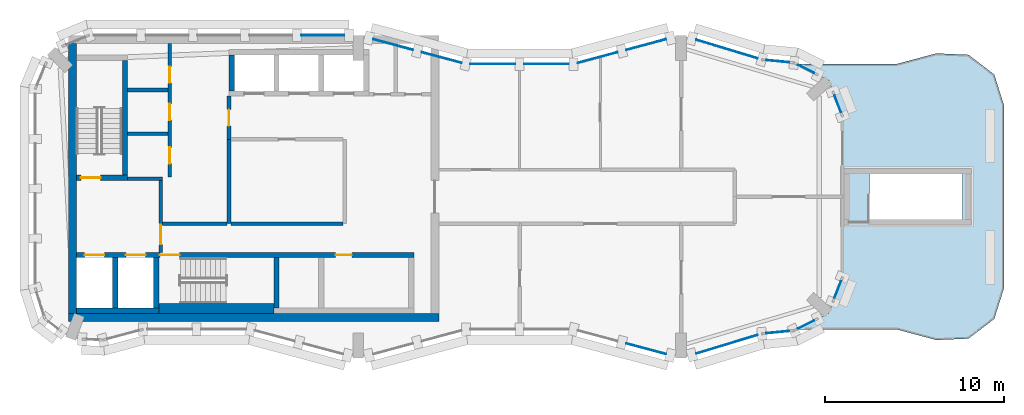
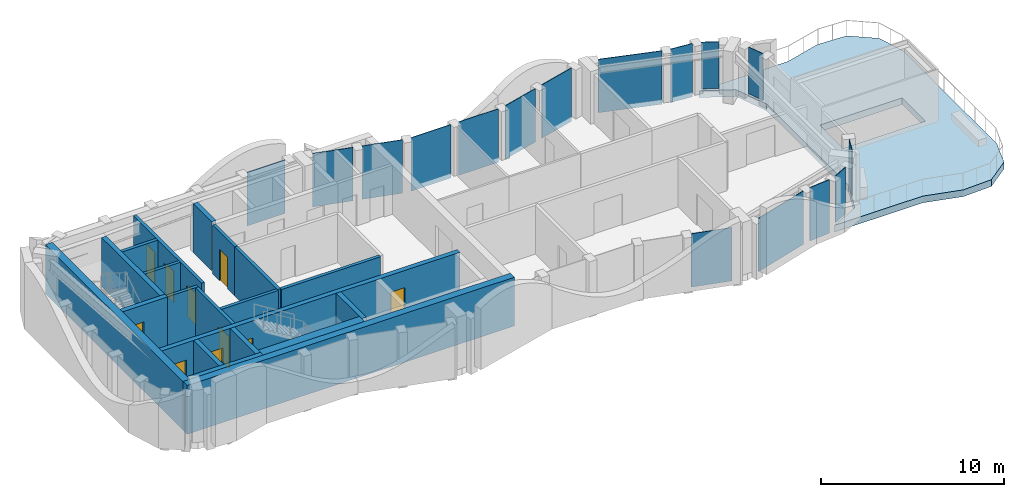
# One storey, part 3 of 9: 20 walls, 16 plates, 10 doors, 1 slab, 10 openings, 13 elements without a shape of their own.
"""IFC4 building model written with IfcOpenShell, lengths in metres."""

from ifc_helpers import new_model, si_unit, direction, frame, frame_2d, origin, origin_2d, place, context, subcontext, project, spatial, polyline, rectangle, outline, extrude, material, layer, layer_set, type_object, element, fill, aggregate, save


model = new_model("IFC4")

# Units and contexts
model_context = context("Model", 3, precision=1e-05, world=origin(), true_north=direction((0.0, 1.0)))
body_context = subcontext(model_context, "Body", "Model", "MODEL_VIEW")
ifc_project = project(units=[si_unit("LENGTHUNIT", "METRE"), si_unit("AREAUNIT", "SQUARE_METRE"), si_unit("VOLUMEUNIT", "CUBIC_METRE"), si_unit("PLANEANGLEUNIT", "RADIAN"), si_unit("MASSUNIT", "GRAM", prefix="KILO")], contexts=[model_context])

# Site, building, storey
site_placement = place(None, origin())
site = spatial("IfcSite", under=ifc_project, at=site_placement, CompositionType="ELEMENT")
building_placement = place(site_placement, origin())
building = spatial("IfcBuilding", under=site, at=building_placement, Name="Plateau Cross Towers", CompositionType="ELEMENT")
storey_placement = place(building_placement, frame((0.0, 0.0, 287.89990234375)))
storey = spatial("IfcBuildingStorey", under=building, at=storey_placement, Name="L76 Crown 1", CompositionType="ELEMENT", Elevation=287.89990234375)

# Curtain wall, plate
ifc_material_1 = material(Name="Dark low-iron glass", Category="glass")
ifc_layer_1 = layer(ifc_material_1, 0.800048828125)
ifc_layer_set_1 = layer_set([ifc_layer_1], Name="Dark low-iron glass")
curtain_wall_type = type_object("IfcCurtainWallType", Name="Curtain wall sky lounge CW-D", PredefinedType="NOTDEFINED", material=ifc_layer_set_1)
curtain_wall_1_placement = place(storey_placement, origin())
curtain_wall_1 = element("IfcCurtainWall", 1, at=curtain_wall_1_placement, inside=storey, type_object=curtain_wall_type, Name="ENV/A/L76 Crown 1/A300_16", PredefinedType="NOTDEFINED")
ifc_layer_2 = layer(ifc_material_1, 0.0400390625)
ifc_layer_set_2 = layer_set([ifc_layer_2], Name="Dark low-iron glass")
plate_type = type_object("IfcPlateType", Name="Glass panel 40 sky lounge", PredefinedType="CURTAIN_PANEL", material=ifc_layer_set_2)
plate_1_placement = place(storey_placement, frame((34.05224609375, 0.521728515625, -0.309814453125), z_axis=(0.0, 0.0, 1.0), x_axis=(0.965957983404, -0.258699003279, 0.0)))
plate_1 = element("IfcPlate", 2, at=plate_1_placement, type_object=plate_type, Name="CW-D panel 2", PredefinedType="CURTAIN_PANEL", context=body_context, shape_type="SweptSolid", body=[
    extrude(rectangle(XDim=2.296875, YDim=0.0400390625, at=origin_2d()), origin(), (0.0, 0.0, 1.0), 3.56005859375),
])
aggregate(curtain_wall_1, [plate_1])

curtain_wall_2_placement = place(storey_placement, origin())
curtain_wall_2 = element("IfcCurtainWall", 3, at=curtain_wall_2_placement, inside=storey, type_object=curtain_wall_type, Name="ENV/A/L76 Crown 1/A366_2", PredefinedType="NOTDEFINED")
plate_2_placement = place(storey_placement, frame((38.552734375, 0.7734375, -0.309814453125), z_axis=(0.0, 0.0, 1.0), x_axis=(0.957048328724, 0.289928433386, 0.0)))
plate_2 = element("IfcPlate", 4, at=plate_2_placement, type_object=plate_type, Name="CW-D panel 1", PredefinedType="CURTAIN_PANEL", context=body_context, shape_type="SweptSolid", body=[
    extrude(rectangle(XDim=3.5693359375, YDim=0.0400390625, at=origin_2d()), origin(), (0.0, 0.0, 1.0), 3.56005859375),
])
aggregate(curtain_wall_2, [plate_2])

curtain_wall_3_placement = place(storey_placement, origin())
curtain_wall_3 = element("IfcCurtainWall", 5, at=curtain_wall_3_placement, inside=storey, type_object=curtain_wall_type, Name="ENV/A/L76 Crown 1/A405_14", PredefinedType="NOTDEFINED")
plate_3_placement = place(storey_placement, frame((41.39501953125, 1.4501953125, -0.309814453125), z_axis=(0.0, 0.0, 1.0), x_axis=(0.995322680406, 0.096606220658, 0.0)))
plate_3 = element("IfcPlate", 6, at=plate_3_placement, type_object=plate_type, Name="CW-D panel 1", PredefinedType="CURTAIN_PANEL", context=body_context, shape_type="SweptSolid", body=[
    extrude(rectangle(XDim=1.29833984375, YDim=0.0400390625, at=origin_2d()), origin(), (0.0, 0.0, 1.0), 3.56005859375),
])
aggregate(curtain_wall_3, [plate_3])

curtain_wall_4_placement = place(storey_placement, origin())
curtain_wall_4 = element("IfcCurtainWall", 7, at=curtain_wall_4_placement, inside=storey, type_object=curtain_wall_type, Name="ENV/A/L76 Crown 1/A423_15", PredefinedType="NOTDEFINED")
plate_4_placement = place(storey_placement, frame((42.956787109375, 1.871826171875, 0.14013671875), z_axis=(0.0, 0.0, 1.0), x_axis=(0.893702121293, 0.448660805505, 0.0)))
plate_4 = element("IfcPlate", 8, at=plate_4_placement, type_object=plate_type, Name="CW-D panel 1", PredefinedType="CURTAIN_PANEL", context=body_context, shape_type="SweptSolid", body=[
    extrude(rectangle(XDim=0.992431640625, YDim=0.0400390625, at=origin_2d()), origin(), (0.0, 0.0, 1.0), 3.110107421875),
])
aggregate(curtain_wall_4, [plate_4])

curtain_wall_5_placement = place(storey_placement, origin())
curtain_wall_5 = element("IfcCurtainWall", 9, at=curtain_wall_5_placement, inside=storey, type_object=curtain_wall_type, Name="ENV/A/L76 Crown 1/A445_31", PredefinedType="NOTDEFINED")
plate_5_placement = place(storey_placement, frame((44.731201171875, 3.82666015625, 0.14013671875), z_axis=(0.0, 0.0, 1.0), x_axis=(0.360225826244, 0.932865131789, 0.0)))
plate_5 = element("IfcPlate", 10, at=plate_5_placement, type_object=plate_type, Name="CW-D panel 1", PredefinedType="CURTAIN_PANEL", context=body_context, shape_type="SweptSolid", body=[
    extrude(rectangle(XDim=0.992431640625, YDim=0.0400390625, at=origin_2d()), origin(), (0.0, 0.0, 1.0), 3.110107421875),
])
aggregate(curtain_wall_5, [plate_5])

curtain_wall_6_placement = place(storey_placement, origin())
curtain_wall_6 = element("IfcCurtainWall", 11, at=curtain_wall_6_placement, inside=storey, type_object=curtain_wall_type, Name="ENV/A/L76 Crown 1/A450_135", PredefinedType="NOTDEFINED")
plate_6_placement = place(storey_placement, frame((44.731201171875, 14.17333984375, 0.14013671875), z_axis=(0.0, 0.0, 1.0), x_axis=(-0.360225826244, 0.932865131789, 0.0)))
plate_6 = element("IfcPlate", 12, at=plate_6_placement, type_object=plate_type, Name="CW-D panel 1", PredefinedType="CURTAIN_PANEL", context=body_context, shape_type="SweptSolid", body=[
    extrude(rectangle(XDim=0.992431640625, YDim=0.0400390625, at=origin_2d()), origin(), (0.0, 0.0, 1.0), 3.110107421875),
])
aggregate(curtain_wall_6, [plate_6])

curtain_wall_7_placement = place(storey_placement, origin())
curtain_wall_7 = element("IfcCurtainWall", 13, at=curtain_wall_7_placement, inside=storey, type_object=curtain_wall_type, Name="ENV/A/L76 Crown 1/A436_158", PredefinedType="NOTDEFINED")
plate_7_placement = place(storey_placement, frame((42.956787109375, 16.128173828125, 0.14013671875), z_axis=(0.0, 0.0, 1.0), x_axis=(-0.893702121293, 0.448660805505, 0.0)))
plate_7 = element("IfcPlate", 14, at=plate_7_placement, type_object=plate_type, Name="CW-D panel 1", PredefinedType="CURTAIN_PANEL", context=body_context, shape_type="SweptSolid", body=[
    extrude(rectangle(XDim=0.992431640625, YDim=0.0400390625, at=origin_2d()), origin(), (0.0, 0.0, 1.0), 3.110107421875),
])
aggregate(curtain_wall_7, [plate_7])

curtain_wall_8_placement = place(storey_placement, origin())
curtain_wall_8 = element("IfcCurtainWall", 15, at=curtain_wall_8_placement, inside=storey, type_object=curtain_wall_type, Name="ENV/A/L76 Crown 1/A423_165", PredefinedType="NOTDEFINED")
plate_8_placement = place(storey_placement, frame((41.39501953125, 16.5498046875, -0.309814453125), z_axis=(0.0, 0.0, 1.0), x_axis=(-0.995322680406, 0.096606220658, 0.0)))
plate_8 = element("IfcPlate", 16, at=plate_8_placement, type_object=plate_type, Name="CW-D panel 1", PredefinedType="CURTAIN_PANEL", context=body_context, shape_type="SweptSolid", body=[
    extrude(rectangle(XDim=1.29833984375, YDim=0.0400390625, at=origin_2d()), origin(), (0.0, 0.0, 1.0), 3.56005859375),
])
aggregate(curtain_wall_8, [plate_8])

curtain_wall_9_placement = place(storey_placement, origin())
curtain_wall_9 = element("IfcCurtainWall", 17, at=curtain_wall_9_placement, inside=storey, type_object=curtain_wall_type, Name="ENV/A/L76 Crown 1/A405_166", PredefinedType="NOTDEFINED")
plate_9_placement = place(storey_placement, frame((38.552734375, 17.2265625, -0.309814453125), z_axis=(0.0, 0.0, 1.0), x_axis=(-0.957048328724, 0.289928433386, 0.0)))
plate_9 = element("IfcPlate", 18, at=plate_9_placement, type_object=plate_type, Name="CW-D panel 1", PredefinedType="CURTAIN_PANEL", context=body_context, shape_type="SweptSolid", body=[
    extrude(rectangle(XDim=3.5693359375, YDim=0.0400390625, at=origin_2d()), origin(), (0.0, 0.0, 1.0), 3.56005859375),
])
aggregate(curtain_wall_9, [plate_9])

# Curtain wall, plates
curtain_wall_10_placement = place(storey_placement, origin())
curtain_wall_10 = element("IfcCurtainWall", 19, at=curtain_wall_10_placement, inside=storey, type_object=curtain_wall_type, Name="ENV/A/L76 Crown 1/A354_178", PredefinedType="NOTDEFINED")
plate_10_placement = place(storey_placement, frame((34.05224609375, 17.478271484375, -0.309814453125), z_axis=(0.0, 0.0, 1.0), x_axis=(-0.965957983404, -0.258699003279, 0.0)))
plate_10 = element("IfcPlate", 20, at=plate_10_placement, type_object=plate_type, Name="CW-D panel 1", PredefinedType="CURTAIN_PANEL", context=body_context, shape_type="SweptSolid", body=[
    extrude(rectangle(XDim=2.296875, YDim=0.0400390625, at=origin_2d()), origin(), (0.0, 0.0, 1.0), 3.56005859375),
])
plate_11_placement = place(storey_placement, frame((31.350830078125, 16.7548828125, -0.309814453125), z_axis=(0.0, 0.0, 1.0), x_axis=(-0.965957983404, -0.258699003279, 0.0)))
plate_11 = element("IfcPlate", 21, at=plate_11_placement, type_object=plate_type, Name="CW-D panel 2", PredefinedType="CURTAIN_PANEL", context=body_context, shape_type="SweptSolid", body=[
    extrude(rectangle(XDim=2.296875, YDim=0.0400390625, at=origin_2d()), origin(), (0.0, 0.0, 1.0), 3.56005859375),
])
aggregate(curtain_wall_10, [plate_10, plate_11])

curtain_wall_11_placement = place(storey_placement, origin())
curtain_wall_11 = element("IfcCurtainWall", 22, at=curtain_wall_11_placement, inside=storey, type_object=curtain_wall_type, Name="ENV/A/L76 Crown 1/A300_164", PredefinedType="NOTDEFINED")
plate_12_placement = place(storey_placement, frame((28.5, 16.39306640625, -0.309814453125), z_axis=(0.0, 0.0, 1.0), x_axis=(-1.0, 0.0, 0.0)))
plate_12 = element("IfcPlate", 23, at=plate_12_placement, type_object=plate_type, Name="CW-D panel 1", PredefinedType="CURTAIN_PANEL", context=body_context, shape_type="SweptSolid", body=[
    extrude(rectangle(XDim=2.5, YDim=0.0400390625, at=origin_2d()), origin(), (0.0, 0.0, 1.0), 3.56005859375),
])
plate_13_placement = place(storey_placement, frame((25.5, 16.39306640625, -0.309814453125), z_axis=(0.0, 0.0, 1.0), x_axis=(-1.0, 0.0, 0.0)))
plate_13 = element("IfcPlate", 24, at=plate_13_placement, type_object=plate_type, Name="CW-D panel 2", PredefinedType="CURTAIN_PANEL", context=body_context, shape_type="SweptSolid", body=[
    extrude(rectangle(XDim=2.5, YDim=0.0400390625, at=origin_2d()), origin(), (0.0, 0.0, 1.0), 3.56005859375),
])
aggregate(curtain_wall_11, [plate_12, plate_13])

curtain_wall_12_placement = place(storey_placement, origin())
curtain_wall_12 = element("IfcCurtainWall", 25, at=curtain_wall_12_placement, inside=storey, type_object=curtain_wall_type, Name="ENV/A/L76 Crown 1/A240_164", PredefinedType="NOTDEFINED")
plate_14_placement = place(storey_placement, frame((22.649169921875, 16.7548828125, -0.309814453125), z_axis=(0.0, 0.0, 1.0), x_axis=(-0.965957983404, 0.258699003279, 0.0)))
plate_14 = element("IfcPlate", 26, at=plate_14_placement, type_object=plate_type, Name="CW-D panel 1", PredefinedType="CURTAIN_PANEL", context=body_context, shape_type="SweptSolid", body=[
    extrude(rectangle(XDim=2.296875, YDim=0.0400390625, at=origin_2d()), origin(), (0.0, 0.0, 1.0), 3.56005859375),
])
plate_15_placement = place(storey_placement, frame((19.94775390625, 17.478271484375, -0.309814453125), z_axis=(0.0, 0.0, 1.0), x_axis=(-0.965957983404, 0.258699003279, 0.0)))
plate_15 = element("IfcPlate", 27, at=plate_15_placement, type_object=plate_type, Name="CW-D panel 2", PredefinedType="CURTAIN_PANEL", context=body_context, shape_type="SweptSolid", body=[
    extrude(rectangle(XDim=2.296875, YDim=0.0400390625, at=origin_2d()), origin(), (0.0, 0.0, 1.0), 3.56005859375),
])
aggregate(curtain_wall_12, [plate_14, plate_15])

# Curtain wall, plate
curtain_wall_13_placement = place(storey_placement, origin())
curtain_wall_13 = element("IfcCurtainWall", 28, at=curtain_wall_13_placement, inside=storey, type_object=curtain_wall_type, Name="ENV/A/L76 Crown 1/A175_180", PredefinedType="NOTDEFINED")
plate_16_placement = place(storey_placement, frame((16.03662109375, 18.0, -0.309814453125), z_axis=(0.0, 0.0, 1.0), x_axis=(-1.0, 0.0, 0.0)))
plate_16 = element("IfcPlate", 29, at=plate_16_placement, type_object=plate_type, Name="CW-D panel 1", PredefinedType="CURTAIN_PANEL", context=body_context, shape_type="SweptSolid", body=[
    extrude(rectangle(XDim=2.39697265625, YDim=0.0400390625, at=origin_2d()), origin(), (0.0, 0.0, 1.0), 3.56005859375),
])
aggregate(curtain_wall_13, [plate_16])

# Slab
ifc_material_2 = material(Name="Concrete C40/50", Category="concrete")
ifc_layer_3 = layer(ifc_material_2, 0.449951171875)
ifc_layer_set_3 = layer_set([ifc_layer_3], Name="Concrete C40/50")
slab_type = type_object("IfcSlabType", Name="Post-tensioned deck slab 450", PredefinedType="FLOOR", material=ifc_layer_set_3)
slab_placement = place(storey_placement, frame((0.0, 0.0, -0.449951171875)))
element("IfcSlab", 30, at=slab_placement, inside=storey, type_object=slab_type, Name="SL-A-terrace-1", PredefinedType="FLOOR", context=body_context, shape_type="SweptSolid", body=[
    extrude(outline(polyline([(52.0263671875, 16.909912109375), (53.45751953125, 15.8115234375), (54.0, 14.0908203125), (54.0, 3.9091796875), (53.45751953125, 2.1884765625), (52.0263671875, 1.090087890625), (50.223876953125, 1.01123046875), (48.0, 1.60693359375), (42.42919921875, 1.60693359375), (44.221435546875, 2.506591796875), (45.0, 4.52294921875), (45.0, 13.47705078125), (44.221435546875, 15.493408203125), (42.42919921875, 16.39306640625), (48.0, 16.39306640625), (50.223876953125, 16.98876953125), (52.0263671875, 16.909912109375)]), holes=[polyline([(51.699951171875, 10.27490234375), (46.5, 10.27490234375), (46.5, 7.72509765625), (51.699951171875, 7.72509765625), (51.699951171875, 10.27490234375)])]), origin(), (0.0, 0.0, 1.0), 0.449951171875),
])

# Wall, opening, door
ifc_material_3 = material(Name="Concrete block, plastered both sides", Category="concrete")
ifc_layer_4 = layer(ifc_material_3, 0.199951171875)
ifc_layer_set_4 = layer_set([ifc_layer_4], Name="Concrete block, plastered both sides")
wall_type_1 = type_object("IfcWallType", Name="Core partition 200", PredefinedType="PARTITIONING", material=ifc_layer_set_4)
wall_1_placement = place(storey_placement, frame((7.0, 5.89990234375, 0.0), z_axis=(0.0, 0.0, 1.0), x_axis=(0.0, 1.0, 0.0)))
wall_1 = element("IfcWall", 31, at=wall_1_placement, inside=storey, type_object=wall_type_1, Name="Core partition", PredefinedType="PARTITIONING", context=body_context, shape_type="SweptSolid", body=[
    extrude(rectangle(XDim=4.0, YDim=0.199951171875, at=frame_2d((2.0, 0.0))), origin(), (0.0, 0.0, 1.0), 3.25),
])
opening_1_placement = place(wall_1_placement, frame((0.449951171875, 0.0, 0.0)))
opening_1 = element("IfcOpeningElement", 32, at=opening_1_placement, cuts=wall_1, Name="Opening FFD", PredefinedType="OPENING", context=body_context, shape_type="SweptSolid", body=[
    extrude(rectangle(XDim=1.10009765625, YDim=2.10009765625, at=frame_2d((0.550048828125, 1.050048828125))), frame((0.0, 0.10986328125, 0.0), z_axis=(0.0, -1.0, 0.0), x_axis=(1.0, 0.0, 0.0)), (0.0, 0.0, 1.0), 0.219970703125),
])
ifc_material_4 = material(Name="Steel, fire-resisting leaf", Category="steel")
door_type_1 = type_object("IfcDoorType", Name="Firefighting lobby door 1100", OperationType="NOTDEFINED", PredefinedType="DOOR", material=ifc_material_4)
door_1_placement = place(opening_1_placement, origin())
door_1 = element("IfcDoor", 33, at=door_1_placement, inside=storey, type_object=door_type_1, Name="Firefighting lobby door FFD", OperationType="SINGLE_SWING_LEFT", OverallHeight=2.10009765625, OverallWidth=1.10009765625, PredefinedType="DOOR", context=body_context, shape_type="SweptSolid", body=[
    extrude(rectangle(XDim=1.10009765625, YDim=2.10009765625, at=frame_2d((0.550048828125, 1.050048828125))), frame((0.0, 0.02490234375, 0.0), z_axis=(0.0, -1.0, 0.0), x_axis=(1.0, 0.0, 0.0)), (0.0, 0.0, 1.0), 0.050048828125),
])
fill(opening_1, door_1)

# Walls
wall_2_placement = place(storey_placement, frame((5.14990234375, 10.0, 0.0), z_axis=(0.0, 0.0, 1.0), x_axis=(1.0, 0.0, 0.0)))
element("IfcWall", 34, at=wall_2_placement, inside=storey, type_object=wall_type_1, Name="Core partition", PredefinedType="PARTITIONING", context=body_context, shape_type="SweptSolid", body=[
    extrude(rectangle(XDim=1.9501953125, YDim=0.199951171875, at=frame_2d((0.97509765625, 0.0))), origin(), (0.0, 0.0, 1.0), 3.25),
])
wall_3_placement = place(storey_placement, frame((7.10009765625, 7.5, 0.0), z_axis=(0.0, 0.0, 1.0), x_axis=(1.0, 0.0, 0.0)))
element("IfcWall", 35, at=wall_3_placement, inside=storey, type_object=wall_type_1, Name="Core partition", PredefinedType="PARTITIONING", context=body_context, shape_type="SweptSolid", body=[
    extrude(rectangle(XDim=3.599853515625, YDim=0.199951171875, at=frame_2d((1.7998046875, 0.0))), origin(), (0.0, 0.0, 1.0), 3.25),
])

# Wall, opening, door
wall_4_placement = place(storey_placement, frame((10.800048828125, 12.199951171875, 0.0), z_axis=(0.0, 0.0, 1.0), x_axis=(0.0, 1.0, 0.0)))
wall_4 = element("IfcWall", 36, at=wall_4_placement, inside=storey, type_object=wall_type_1, Name="Core partition", PredefinedType="PARTITIONING", context=body_context, shape_type="SweptSolid", body=[
    extrude(rectangle(XDim=2.400146484375, YDim=0.199951171875, at=frame_2d((1.2001953125, 0.0))), origin(), (0.0, 0.0, 1.0), 3.25),
])
opening_2_placement = place(wall_4_placement, frame((0.75, 0.0, 0.0)))
opening_2 = element("IfcOpeningElement", 37, at=opening_2_placement, cuts=wall_4, Name="Opening RD1", PredefinedType="OPENING", context=body_context, shape_type="SweptSolid", body=[
    extrude(rectangle(XDim=0.89990234375, YDim=2.10009765625, at=frame_2d((0.449951171875, 1.050048828125))), frame((0.0, 0.10986328125, 0.0), z_axis=(0.0, -1.0, 0.0), x_axis=(1.0, 0.0, 0.0)), (0.0, 0.0, 1.0), 0.219970703125),
])
ifc_material_5 = material(Name="Timber, fire-resisting leaf", Category="wood")
door_type_2 = type_object("IfcDoorType", Name="Core service door 900", OperationType="NOTDEFINED", PredefinedType="DOOR", material=ifc_material_5)
door_2_placement = place(opening_2_placement, origin())
door_2 = element("IfcDoor", 38, at=door_2_placement, inside=storey, type_object=door_type_2, Name="Core service door RD1", OperationType="SINGLE_SWING_LEFT", OverallHeight=2.10009765625, OverallWidth=0.89990234375, PredefinedType="DOOR", context=body_context, shape_type="SweptSolid", body=[
    extrude(rectangle(XDim=0.89990234375, YDim=2.10009765625, at=frame_2d((0.449951171875, 1.050048828125))), frame((0.0, 0.02490234375, 0.0), z_axis=(0.0, -1.0, 0.0), x_axis=(1.0, 0.0, 0.0)), (0.0, 0.0, 1.0), 0.050048828125),
])
fill(opening_2, door_2)

# Walls
wall_5_placement = place(storey_placement, frame((10.800048828125, 7.5, 0.0), z_axis=(0.0, 0.0, 1.0), x_axis=(0.0, 1.0, 0.0)))
element("IfcWall", 39, at=wall_5_placement, inside=storey, type_object=wall_type_1, Name="Core partition", PredefinedType="PARTITIONING", context=body_context, shape_type="SweptSolid", body=[
    extrude(rectangle(XDim=4.699951171875, YDim=0.199951171875, at=frame_2d((2.35009765625, 0.0))), origin(), (0.0, 0.0, 1.0), 3.25),
])
wall_6_placement = place(storey_placement, frame((10.89990234375, 7.5, 0.0), z_axis=(0.0, 0.0, 1.0), x_axis=(1.0, 0.0, 0.0)))
element("IfcWall", 40, at=wall_6_placement, inside=storey, type_object=wall_type_1, Name="Core partition", PredefinedType="PARTITIONING", context=body_context, shape_type="SweptSolid", body=[
    extrude(rectangle(XDim=6.25, YDim=0.199951171875, at=frame_2d((3.125, 0.0))), origin(), (0.0, 0.0, 1.0), 3.25),
])

# Wall, openings, doors
wall_7_placement = place(storey_placement, frame((7.5, 10.10009765625, 0.0), z_axis=(0.0, 0.0, 1.0), x_axis=(0.0, 1.0, 0.0)))
wall_7 = element("IfcWall", 41, at=wall_7_placement, inside=storey, type_object=wall_type_1, Name="Core partition", PredefinedType="PARTITIONING", context=body_context, shape_type="SweptSolid", body=[
    extrude(rectangle(XDim=7.449951171875, YDim=0.199951171875, at=frame_2d((3.72509765625, 0.0))), origin(), (0.0, 0.0, 1.0), 3.25),
])
opening_3_placement = place(wall_7_placement, frame((0.75, 0.0, 0.0)))
opening_3 = element("IfcOpeningElement", 42, at=opening_3_placement, cuts=wall_7, Name="Opening RD1", PredefinedType="OPENING", context=body_context, shape_type="SweptSolid", body=[
    extrude(rectangle(XDim=0.89990234375, YDim=2.10009765625, at=frame_2d((0.449951171875, 1.050048828125))), frame((0.0, 0.10986328125, 0.0), z_axis=(0.0, -1.0, 0.0), x_axis=(1.0, 0.0, 0.0)), (0.0, 0.0, 1.0), 0.219970703125),
])
opening_4_placement = place(wall_7_placement, frame((3.175048828125, 0.0, 0.0)))
opening_4 = element("IfcOpeningElement", 43, at=opening_4_placement, cuts=wall_7, Name="Opening RD1", PredefinedType="OPENING", context=body_context, shape_type="SweptSolid", body=[
    extrude(rectangle(XDim=0.89990234375, YDim=2.10009765625, at=frame_2d((0.449951171875, 1.050048828125))), frame((0.0, 0.10986328125, 0.0), z_axis=(0.0, -1.0, 0.0), x_axis=(1.0, 0.0, 0.0)), (0.0, 0.0, 1.0), 0.219970703125),
])
opening_5_placement = place(wall_7_placement, frame((5.25, 0.0, 0.0)))
opening_5 = element("IfcOpeningElement", 44, at=opening_5_placement, cuts=wall_7, Name="Opening RD1", PredefinedType="OPENING", context=body_context, shape_type="SweptSolid", body=[
    extrude(rectangle(XDim=0.89990234375, YDim=2.10009765625, at=frame_2d((0.449951171875, 1.050048828125))), frame((0.0, 0.10986328125, 0.0), z_axis=(0.0, -1.0, 0.0), x_axis=(1.0, 0.0, 0.0)), (0.0, 0.0, 1.0), 0.219970703125),
])
door_3_placement = place(opening_3_placement, origin())
door_3 = element("IfcDoor", 45, at=door_3_placement, inside=storey, type_object=door_type_2, Name="Core service door RD1", OperationType="SINGLE_SWING_RIGHT", OverallHeight=2.10009765625, OverallWidth=0.89990234375, PredefinedType="DOOR", context=body_context, shape_type="SweptSolid", body=[
    extrude(rectangle(XDim=0.89990234375, YDim=2.10009765625, at=frame_2d((0.449951171875, 1.050048828125))), frame((0.0, 0.02490234375, 0.0), z_axis=(0.0, -1.0, 0.0), x_axis=(1.0, 0.0, 0.0)), (0.0, 0.0, 1.0), 0.050048828125),
])
fill(opening_3, door_3)
door_4_placement = place(opening_4_placement, origin())
door_4 = element("IfcDoor", 46, at=door_4_placement, inside=storey, type_object=door_type_2, Name="Core service door RD1", OperationType="SINGLE_SWING_RIGHT", OverallHeight=2.10009765625, OverallWidth=0.89990234375, PredefinedType="DOOR", context=body_context, shape_type="SweptSolid", body=[
    extrude(rectangle(XDim=0.89990234375, YDim=2.10009765625, at=frame_2d((0.449951171875, 1.050048828125))), frame((0.0, 0.02490234375, 0.0), z_axis=(0.0, -1.0, 0.0), x_axis=(1.0, 0.0, 0.0)), (0.0, 0.0, 1.0), 0.050048828125),
])
fill(opening_4, door_4)
door_5_placement = place(opening_5_placement, origin())
door_5 = element("IfcDoor", 47, at=door_5_placement, inside=storey, type_object=door_type_2, Name="Core service door RD1", OperationType="SINGLE_SWING_RIGHT", OverallHeight=2.10009765625, OverallWidth=0.89990234375, PredefinedType="DOOR", context=body_context, shape_type="SweptSolid", body=[
    extrude(rectangle(XDim=0.89990234375, YDim=2.10009765625, at=frame_2d((0.449951171875, 1.050048828125))), frame((0.0, 0.02490234375, 0.0), z_axis=(0.0, -1.0, 0.0), x_axis=(1.0, 0.0, 0.0)), (0.0, 0.0, 1.0), 0.050048828125),
])
fill(opening_5, door_5)

# Walls
for number, where, z_axis, x_axis, name in (
    (48, (5.14990234375, 12.5, 0.0), (0.0, 0.0, 1.0), (1.0, 0.0, 0.0), "Core partition"),
    (49, (5.14990234375, 14.949951171875, 0.0), (0.0, 0.0, 1.0), (1.0, 0.0, 0.0), "Core partition"),
):
    element("IfcWall", number, at=place(storey_placement, frame(where, z_axis=z_axis, x_axis=x_axis)), inside=storey, type_object=wall_type_1, Name=name, PredefinedType="PARTITIONING", context=body_context, shape_type="SweptSolid", body=[
        extrude(rectangle(XDim=2.25, YDim=0.199951171875, at=frame_2d((1.125, 0.0))), origin(), (0.0, 0.0, 1.0), 3.25),
    ])
ifc_material_6 = material(Name="Concrete C60/75", Category="concrete")
ifc_layer_5 = layer(ifc_material_6, 0.300048828125)
ifc_layer_set_5 = layer_set([ifc_layer_5], Name="Concrete C60/75")
wall_type_2 = type_object("IfcWallType", Name="Core shaft wall 300", PredefinedType="SHEAR", material=ifc_layer_set_5)
wall_8_placement = place(storey_placement, frame((2.300048828125, 2.64990234375, 0.0), z_axis=(0.0, 0.0, 1.0), x_axis=(1.0, 0.0, 0.0)))
element("IfcWall", 50, at=wall_8_placement, inside=storey, type_object=wall_type_2, Name="A-sb-back1@L76 Crown 1", PredefinedType="SHEAR", context=body_context, shape_type="SweptSolid", body=[
    extrude(rectangle(XDim=4.599853515625, YDim=0.300048828125, at=frame_2d((2.2998046875, 0.0))), origin(), (0.0, 0.0, 1.0), 3.25),
])
for number, where, z_axis, x_axis, name in (
    (51, (4.449951171875, 2.800048828125, 0.0), (0.0, 0.0, 1.0), (0.0, 1.0, 0.0), "A-sb-v1@L76 Crown 1"),
    (52, (6.75, 2.800048828125, 0.0), (0.0, 0.0, 1.0), (0.0, 1.0, 0.0), "A-sb-v2@L76 Crown 1"),
    (53, (13.449951171875, 2.800048828125, 0.0), (0.0, 0.0, 1.0), (0.0, 1.0, 0.0), "A-sb-v3@L76 Crown 1"),
):
    element("IfcWall", number, at=place(storey_placement, frame(where, z_axis=z_axis, x_axis=x_axis)), inside=storey, type_object=wall_type_2, Name=name, PredefinedType="SHEAR", context=body_context, shape_type="SweptSolid", body=[
        extrude(rectangle(XDim=2.800048828125, YDim=0.300048828125, at=frame_2d((1.39990234375, 0.0))), origin(), (0.0, 0.0, 1.0), 3.25),
    ])

# Wall, openings, doors
wall_9_placement = place(storey_placement, frame((2.300048828125, 5.75, 0.0), z_axis=(0.0, 0.0, 1.0), x_axis=(1.0, 0.0, 0.0)))
wall_9 = element("IfcWall", 54, at=wall_9_placement, inside=storey, type_object=wall_type_2, Name="A-sb-front@L76 Crown 1", PredefinedType="SHEAR", context=body_context, shape_type="SweptSolid", body=[
    extrude(rectangle(XDim=18.800048828125, YDim=0.300048828125, at=frame_2d((9.39990234375, 0.0))), origin(), (0.0, 0.0, 1.0), 3.25),
])
opening_6_placement = place(wall_9_placement, frame((4.64990234375, 0.0, 0.0)))
opening_6 = element("IfcOpeningElement", 55, at=opening_6_placement, cuts=wall_9, Name="Opening SD", PredefinedType="OPENING", context=body_context, shape_type="SweptSolid", body=[
    extrude(rectangle(XDim=1.10009765625, YDim=2.10009765625, at=frame_2d((0.550048828125, 1.050048828125))), frame((0.0, 0.159912109375, 0.0), z_axis=(0.0, -1.0, 0.0), x_axis=(1.0, 0.0, 0.0)), (0.0, 0.0, 1.0), 0.320068359375),
])
opening_7_placement = place(wall_9_placement, frame((0.449951171875, 0.0, 0.0)))
opening_7 = element("IfcOpeningElement", 56, at=opening_7_placement, cuts=wall_9, Name="Opening LD", PredefinedType="OPENING", context=body_context, shape_type="SweptSolid", body=[
    extrude(rectangle(XDim=1.10009765625, YDim=2.10009765625, at=frame_2d((0.550048828125, 1.050048828125))), frame((0.0, 0.159912109375, 0.0), z_axis=(0.0, -1.0, 0.0), x_axis=(1.0, 0.0, 0.0)), (0.0, 0.0, 1.0), 0.320068359375),
])
opening_8_placement = place(wall_9_placement, frame((2.75, 0.0, 0.0)))
opening_8 = element("IfcOpeningElement", 57, at=opening_8_placement, cuts=wall_9, Name="Opening LD", PredefinedType="OPENING", context=body_context, shape_type="SweptSolid", body=[
    extrude(rectangle(XDim=1.10009765625, YDim=2.10009765625, at=frame_2d((0.550048828125, 1.050048828125))), frame((0.0, 0.159912109375, 0.0), z_axis=(0.0, -1.0, 0.0), x_axis=(1.0, 0.0, 0.0)), (0.0, 0.0, 1.0), 0.320068359375),
])
opening_9_placement = place(wall_9_placement, frame((14.449951171875, 0.0, 0.0)))
opening_9 = element("IfcOpeningElement", 58, at=opening_9_placement, cuts=wall_9, Name="Opening RD2", PredefinedType="OPENING", context=body_context, shape_type="SweptSolid", body=[
    extrude(rectangle(XDim=0.89990234375, YDim=2.10009765625, at=frame_2d((0.449951171875, 1.050048828125))), frame((0.0, 0.159912109375, 0.0), z_axis=(0.0, -1.0, 0.0), x_axis=(1.0, 0.0, 0.0)), (0.0, 0.0, 1.0), 0.320068359375),
])
door_type_3 = type_object("IfcDoorType", Name="Core riser door 900", OperationType="NOTDEFINED", PredefinedType="DOOR", material=ifc_material_4)
door_6_placement = place(opening_9_placement, origin())
door_6 = element("IfcDoor", 59, at=door_6_placement, inside=storey, type_object=door_type_3, Name="Core riser door RD2", OperationType="SINGLE_SWING_LEFT", OverallHeight=2.10009765625, OverallWidth=0.89990234375, PredefinedType="DOOR", context=body_context, shape_type="SweptSolid", body=[
    extrude(rectangle(XDim=0.89990234375, YDim=2.10009765625, at=frame_2d((0.449951171875, 1.050048828125))), frame((0.0, 0.02490234375, 0.0), z_axis=(0.0, -1.0, 0.0), x_axis=(1.0, 0.0, 0.0)), (0.0, 0.0, 1.0), 0.050048828125),
])
fill(opening_9, door_6)
ifc_material_7 = material(Name="Stainless steel, fire-resisting sliding leaves", Category="steel")
door_type_4 = type_object("IfcDoorType", Name="Lift landing door 1100", OperationType="NOTDEFINED", PredefinedType="DOOR", material=ifc_material_7)
door_7_placement = place(opening_7_placement, origin())
door_7 = element("IfcDoor", 60, at=door_7_placement, inside=storey, type_object=door_type_4, Name="Lift landing door LD", OperationType="DOUBLE_DOOR_SLIDING", OverallHeight=2.10009765625, OverallWidth=1.10009765625, PredefinedType="DOOR", context=body_context, shape_type="SweptSolid", body=[
    extrude(rectangle(XDim=1.10009765625, YDim=2.10009765625, at=frame_2d((0.550048828125, 1.050048828125))), frame((0.0, 0.02490234375, 0.0), z_axis=(0.0, -1.0, 0.0), x_axis=(1.0, 0.0, 0.0)), (0.0, 0.0, 1.0), 0.050048828125),
])
fill(opening_7, door_7)
door_8_placement = place(opening_8_placement, origin())
door_8 = element("IfcDoor", 61, at=door_8_placement, inside=storey, type_object=door_type_4, Name="Lift landing door LD", OperationType="DOUBLE_DOOR_SLIDING", OverallHeight=2.10009765625, OverallWidth=1.10009765625, PredefinedType="DOOR", context=body_context, shape_type="SweptSolid", body=[
    extrude(rectangle(XDim=1.10009765625, YDim=2.10009765625, at=frame_2d((0.550048828125, 1.050048828125))), frame((0.0, 0.02490234375, 0.0), z_axis=(0.0, -1.0, 0.0), x_axis=(1.0, 0.0, 0.0)), (0.0, 0.0, 1.0), 0.050048828125),
])
fill(opening_8, door_8)
door_type_5 = type_object("IfcDoorType", Name="Stair door 1100", OperationType="NOTDEFINED", PredefinedType="DOOR", material=ifc_material_4)
door_9_placement = place(opening_6_placement, origin())
door_9 = element("IfcDoor", 62, at=door_9_placement, inside=storey, type_object=door_type_5, Name="Stair door SD", OperationType="SINGLE_SWING_LEFT", OverallHeight=2.10009765625, OverallWidth=1.10009765625, PredefinedType="DOOR", context=body_context, shape_type="SweptSolid", body=[
    extrude(rectangle(XDim=1.10009765625, YDim=2.10009765625, at=frame_2d((0.550048828125, 1.050048828125))), frame((0.0, 0.02490234375, 0.0), z_axis=(0.0, -1.0, 0.0), x_axis=(1.0, 0.0, 0.0)), (0.0, 0.0, 1.0), 0.050048828125),
])
fill(opening_6, door_9)

# Wall, opening, door
wall_10_placement = place(storey_placement, frame((2.300048828125, 10.050048828125, 0.0), z_axis=(0.0, 0.0, 1.0), x_axis=(1.0, 0.0, 0.0)))
wall_10 = element("IfcWall", 63, at=wall_10_placement, inside=storey, type_object=wall_type_2, Name="A-st1-S@L76 Crown 1", PredefinedType="SHEAR", context=body_context, shape_type="SweptSolid", body=[
    extrude(rectangle(XDim=2.849853515625, YDim=0.300048828125, at=frame_2d((1.4248046875, 0.0))), origin(), (0.0, 0.0, 1.0), 3.25),
])
opening_10_placement = place(wall_10_placement, frame((0.25, 0.0, 0.0)))
opening_10 = element("IfcOpeningElement", 64, at=opening_10_placement, cuts=wall_10, Name="Opening SD", PredefinedType="OPENING", context=body_context, shape_type="SweptSolid", body=[
    extrude(rectangle(XDim=1.10009765625, YDim=2.10009765625, at=frame_2d((0.550048828125, 1.050048828125))), frame((0.0, 0.159912109375, 0.0), z_axis=(0.0, -1.0, 0.0), x_axis=(1.0, 0.0, 0.0)), (0.0, 0.0, 1.0), 0.320068359375),
])
door_10_placement = place(opening_10_placement, origin())
door_10 = element("IfcDoor", 65, at=door_10_placement, inside=storey, type_object=door_type_5, Name="Stair door SD", OperationType="SINGLE_SWING_RIGHT", OverallHeight=2.10009765625, OverallWidth=1.10009765625, PredefinedType="DOOR", context=body_context, shape_type="SweptSolid", body=[
    extrude(rectangle(XDim=1.10009765625, YDim=2.10009765625, at=frame_2d((0.550048828125, 1.050048828125))), frame((0.0, 0.02490234375, 0.0), z_axis=(0.0, -1.0, 0.0), x_axis=(1.0, 0.0, 0.0)), (0.0, 0.0, 1.0), 0.050048828125),
])
fill(opening_10, door_10)

# Walls
wall_11_placement = place(storey_placement, frame((5.0, 10.199951171875, 0.0), z_axis=(0.0, 0.0, 1.0), x_axis=(0.0, 1.0, 0.0)))
element("IfcWall", 66, at=wall_11_placement, inside=storey, type_object=wall_type_2, Name="A-st1-E@L76 Crown 1", PredefinedType="SHEAR", context=body_context, shape_type="SweptSolid", body=[
    extrude(rectangle(XDim=6.400146484375, YDim=0.300048828125, at=frame_2d((3.2001953125, 0.0))), origin(), (0.0, 0.0, 1.0), 3.25),
])
wall_12_placement = place(storey_placement, frame((10.949951171875, 14.89990234375, 0.0), z_axis=(0.0, 0.0, 1.0), x_axis=(0.0, 1.0, 0.0)))
element("IfcWall", 67, at=wall_12_placement, inside=storey, type_object=wall_type_2, Name="A-nb-v1@L76 Crown 1", PredefinedType="SHEAR", context=body_context, shape_type="SweptSolid", body=[
    extrude(rectangle(XDim=2.0, YDim=0.300048828125, at=frame_2d((1.0, 0.0))), origin(), (0.0, 0.0, 1.0), 3.25),
])
ifc_layer_6 = layer(ifc_material_6, 0.550048828125)
ifc_layer_set_6 = layer_set([ifc_layer_6], Name="Concrete C60/75")
wall_type_3 = type_object("IfcWallType", Name="Core shaft wall 550", PredefinedType="SHEAR", material=ifc_layer_set_6)
wall_13_placement = place(storey_placement, frame((6.89990234375, 2.77490234375, 0.0), z_axis=(0.0, 0.0, 1.0), x_axis=(1.0, 0.0, 0.0)))
element("IfcWall", 68, at=wall_13_placement, inside=storey, type_object=wall_type_3, Name="A-sb-back2@L76 Crown 1", PredefinedType="SHEAR", context=body_context, shape_type="SweptSolid", body=[
    extrude(rectangle(XDim=6.400146484375, YDim=0.550048828125, at=frame_2d((3.2001953125, 0.0))), origin(), (0.0, 0.0, 1.0), 3.25),
])
ifc_layer_7 = layer(ifc_material_6, 0.449951171875)
ifc_layer_set_7 = layer_set([ifc_layer_7], Name="Concrete C60/75")
wall_type_4 = type_object("IfcWallType", Name="Core shell wall 450", PredefinedType="SHEAR", material=ifc_layer_set_7)
wall_14_placement = place(storey_placement, frame((1.85009765625, 2.27490234375, 0.0), z_axis=(0.0, 0.0, 1.0), x_axis=(1.0, 0.0, 0.0)))
element("IfcWall", 69, at=wall_14_placement, inside=storey, type_object=wall_type_4, Name="A-core-S@L76 Crown 1", PredefinedType="SHEAR", context=body_context, shape_type="SweptSolid", body=[
    extrude(rectangle(XDim=20.64990234375, YDim=0.449951171875, at=frame_2d((10.324951171875, 0.0))), origin(), (0.0, 0.0, 1.0), 3.25),
])
wall_15_placement = place(storey_placement, frame((2.074951171875, 2.5, 0.0), z_axis=(0.0, 0.0, 1.0), x_axis=(0.0, 1.0, 0.0)))
element("IfcWall", 70, at=wall_15_placement, inside=storey, type_object=wall_type_4, Name="A-core-W@L76 Crown 1", PredefinedType="SHEAR", context=body_context, shape_type="SweptSolid", body=[
    extrude(rectangle(XDim=15.050048828125, YDim=0.449951171875, at=frame_2d((7.52490234375, 0.0))), origin(), (0.0, 0.0, 1.0), 3.25),
])

save(model, "model.ifc")
